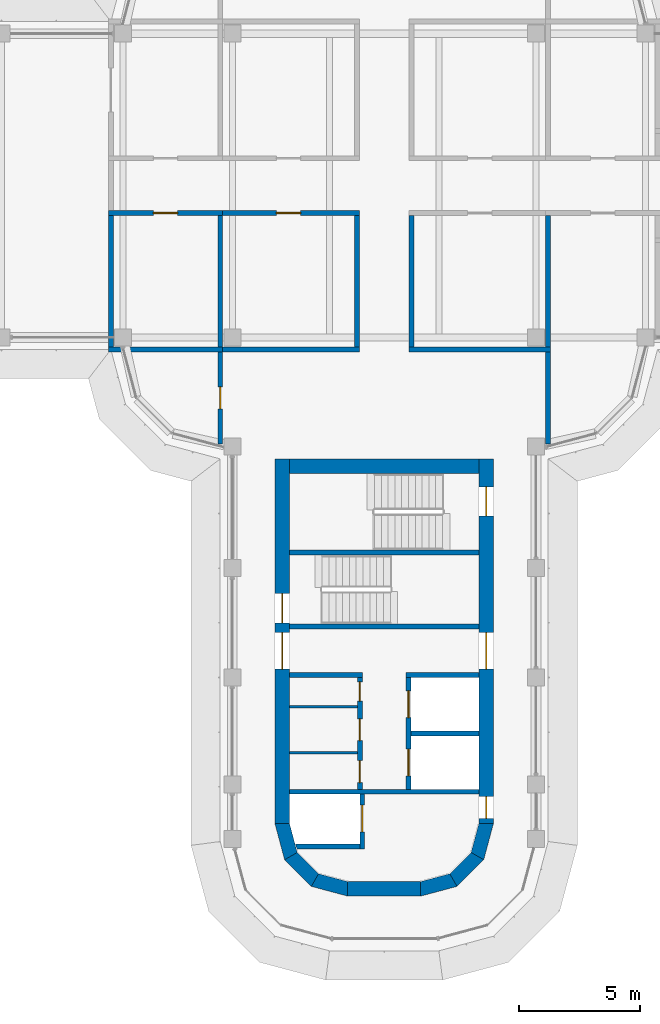
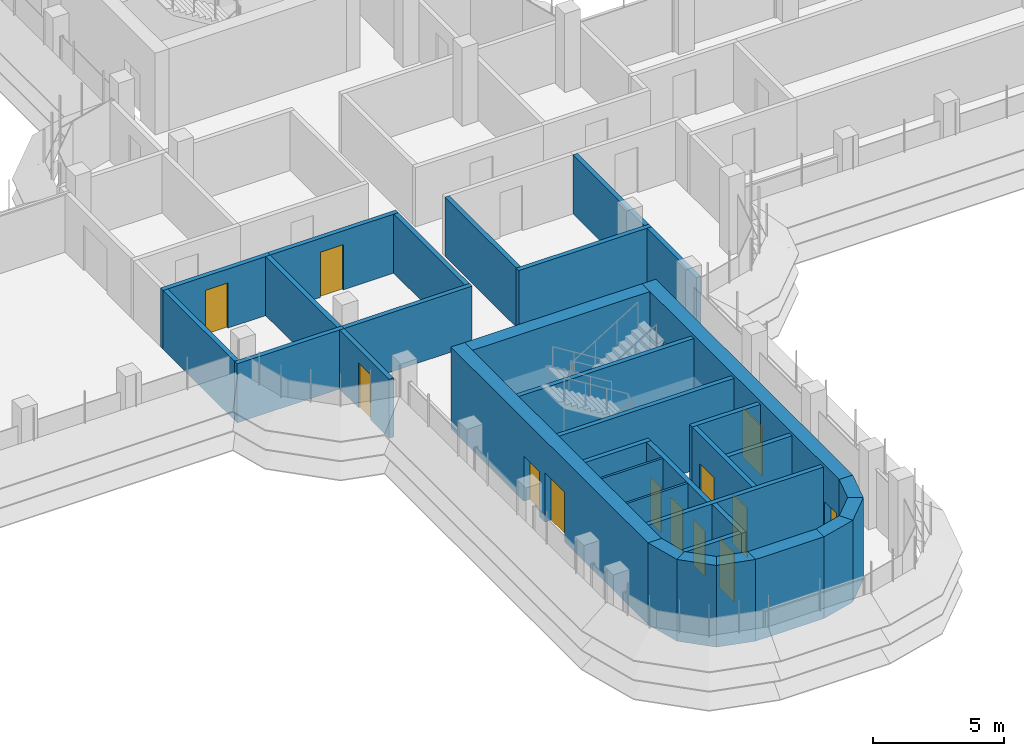
# One storey, part 13 of 19: 34 walls, 14 doors, 14 openings.
"""IFC4 building model written with IfcOpenShell, lengths in metres."""

from ifc_helpers import new_model, si_unit, direction, frame, frame_2d, origin, place, context, subcontext, project, spatial, polyline, rectangle, outline, extrude, material, layer, layer_set, type_object, element, fill, save


model = new_model("IFC4")

# Units and contexts
model_context = context("Model", 3, precision=1e-05, world=origin(), true_north=direction((0.0, 1.0)))
body_context = subcontext(model_context, "Body", "Model", "MODEL_VIEW")
ifc_project = project(units=[si_unit("LENGTHUNIT", "METRE"), si_unit("AREAUNIT", "SQUARE_METRE"), si_unit("VOLUMEUNIT", "CUBIC_METRE"), si_unit("PLANEANGLEUNIT", "RADIAN"), si_unit("MASSUNIT", "GRAM", prefix="KILO")], contexts=[model_context])

# Site, building, storey
site_placement = place(None, origin())
site = spatial("IfcSite", under=ifc_project, at=site_placement, CompositionType="ELEMENT")
building_placement = place(site_placement, origin())
building = spatial("IfcBuilding", under=site, at=building_placement, Name="Zarbagh Exchange Tower", CompositionType="ELEMENT")
storey_placement = place(building_placement, frame((0.0, 0.0, 233.39990234375)))
storey = spatial("IfcBuildingStorey", under=building, at=storey_placement, Name="L57", CompositionType="ELEMENT", Elevation=233.39990234375)

# Walls
ifc_material_1 = material(Name="Dense blockwork", Category="masonry")
ifc_layer_1 = layer(ifc_material_1, 0.10009765625)
ifc_layer_set_1 = layer_set([ifc_layer_1], Name="Core partition 100 mm blockwork")
wall_type_1 = type_object("IfcWallType", Name="Core partition 100 mm blockwork", PredefinedType="PARTITIONING", material=ifc_layer_set_1)
for number, where, z_axis, x_axis, name in (
    (1, (-1.10009765625, -23.35009765625, 0.0), (0.0, 0.0, 1.0), (-1.0, 0.0, 0.0), "South core partition wall CUT-E-500"),
    (2, (-1.10009765625, -21.449951171875, 0.0), (0.0, 0.0, 1.0), (-1.0, 0.0, 0.0), "South core partition wall CUT-E-690"),
):
    element("IfcWall", number, at=place(storey_placement, frame(where, z_axis=z_axis, x_axis=x_axis)), inside=storey, type_object=wall_type_1, Name=name, PredefinedType="PARTITIONING", context=body_context, shape_type="SweptSolid", body=[
        extrude(rectangle(XDim=2.7998046875, YDim=0.10009765625, at=frame_2d((1.39990234375, 0.0))), origin(), (0.0, 0.0, 1.0), 3.650146484375),
    ])

# Wall, opening, door
ifc_material_2 = material(Name="Fire-rated plasterboard partition")
ifc_layer_2 = layer(ifc_material_2, 0.199951171875)
ifc_layer_set_2 = layer_set([ifc_layer_2], Name="RATED PARTITION 200")
wall_type_2 = type_object("IfcWallType", Name="RATED PARTITION 200", PredefinedType="PARTITIONING", material=ifc_layer_set_2)
wall_1_placement = place(storey_placement, frame((-1.02490234375, -1.125, 0.0), z_axis=(0.0, 0.0, 1.0), x_axis=(-1.0, 0.0, 0.0)))
wall_1 = element("IfcWall", 3, at=wall_1_placement, inside=storey, type_object=wall_type_2, Name="Partition W-2507", PredefinedType="PARTITIONING", context=body_context, shape_type="SweptSolid", body=[
    extrude(rectangle(XDim=5.8251953125, YDim=0.199951171875, at=frame_2d((2.91259765625, 0.0))), origin(), (0.0, 0.0, 1.0), 2.745849609375),
])
opening_1_placement = place(wall_1_placement, frame((2.41259765625, 0.0, 0.0)))
opening_1 = element("IfcOpeningElement", 4, at=opening_1_placement, cuts=wall_1, Name="Opening D-2512", PredefinedType="OPENING", context=body_context, shape_type="SweptSolid", body=[
    extrude(rectangle(XDim=1.0, YDim=2.10009765625, at=frame_2d((0.5, 1.050048828125))), frame((0.0, 0.10986328125, 0.0), z_axis=(0.0, -1.0, 0.0), x_axis=(1.0, 0.0, 0.0)), (0.0, 0.0, 1.0), 0.219970703125),
])
ifc_material_3 = material(Name="Steel door set", Category="steel")
door_type_1 = type_object("IfcDoorType", Name="FIRE DOOR 1000 X 2100 FD30S", OperationType="NOTDEFINED", PredefinedType="DOOR", material=ifc_material_3)
door_1_placement = place(opening_1_placement, origin())
door_1 = element("IfcDoor", 5, at=door_1_placement, inside=storey, type_object=door_type_1, Name="Door D-2512", OperationType="SINGLE_SWING_RIGHT", OverallHeight=2.10009765625, OverallWidth=1.0, PredefinedType="DOOR", context=body_context, shape_type="SweptSolid", body=[
    extrude(rectangle(XDim=1.0, YDim=2.10009765625, at=frame_2d((0.5, 1.050048828125))), frame((0.0, 0.02490234375, 0.0), z_axis=(0.0, -1.0, 0.0), x_axis=(1.0, 0.0, 0.0)), (0.0, 0.0, 1.0), 0.050048828125),
])
fill(opening_1, door_1)

wall_2_placement = place(storey_placement, frame((-6.64990234375, -1.125, 0.0), z_axis=(0.0, 0.0, 1.0), x_axis=(-1.0, 0.0, 0.0)))
wall_2 = element("IfcWall", 6, at=wall_2_placement, inside=storey, type_object=wall_type_2, Name="Partition W-2508", PredefinedType="PARTITIONING", context=body_context, shape_type="SweptSolid", body=[
    extrude(rectangle(XDim=4.7001953125, YDim=0.199951171875, at=frame_2d((2.35009765625, 0.0))), origin(), (0.0, 0.0, 1.0), 2.745849609375),
])
opening_2_placement = place(wall_2_placement, frame((1.85009765625, 0.0, 0.0)))
opening_2 = element("IfcOpeningElement", 7, at=opening_2_placement, cuts=wall_2, Name="Opening D-2513", PredefinedType="OPENING", context=body_context, shape_type="SweptSolid", body=[
    extrude(rectangle(XDim=1.0, YDim=2.10009765625, at=frame_2d((0.5, 1.050048828125))), frame((0.0, 0.10986328125, 0.0), z_axis=(0.0, -1.0, 0.0), x_axis=(1.0, 0.0, 0.0)), (0.0, 0.0, 1.0), 0.219970703125),
])
door_2_placement = place(opening_2_placement, origin())
door_2 = element("IfcDoor", 8, at=door_2_placement, inside=storey, type_object=door_type_1, Name="Door D-2513", OperationType="SINGLE_SWING_RIGHT", OverallHeight=2.10009765625, OverallWidth=1.0, PredefinedType="DOOR", context=body_context, shape_type="SweptSolid", body=[
    extrude(rectangle(XDim=1.0, YDim=2.10009765625, at=frame_2d((0.5, 1.050048828125))), frame((0.0, 0.02490234375, 0.0), z_axis=(0.0, -1.0, 0.0), x_axis=(1.0, 0.0, 0.0)), (0.0, 0.0, 1.0), 0.050048828125),
])
fill(opening_2, door_2)

# Walls
for number, where, z_axis, x_axis, name in (
    (9, (1.125, -6.64990234375, 0.0), (0.0, 0.0, 1.0), (0.0, 1.0, 0.0), "Partition W-2512"),
    (10, (-1.125, -6.64990234375, 0.0), (0.0, 0.0, 1.0), (0.0, 1.0, 0.0), "Partition W-2513"),
):
    element("IfcWall", number, at=place(storey_placement, frame(where, z_axis=z_axis, x_axis=x_axis)), inside=storey, type_object=wall_type_2, Name=name, PredefinedType="PARTITIONING", context=body_context, shape_type="SweptSolid", body=[
        extrude(rectangle(XDim=5.4248046875, YDim=0.199951171875, at=frame_2d((2.71240234375, 0.0))), origin(), (0.0, 0.0, 1.0), 2.745849609375),
    ])
wall_3_placement = place(storey_placement, frame((1.02490234375, -6.75, 0.0), z_axis=(0.0, 0.0, 1.0), x_axis=(1.0, 0.0, 0.0)))
element("IfcWall", 11, at=wall_3_placement, inside=storey, type_object=wall_type_2, Name="Partition W-2518", PredefinedType="PARTITIONING", context=body_context, shape_type="SweptSolid", body=[
    extrude(rectangle(XDim=5.8251953125, YDim=0.199951171875, at=frame_2d((2.91259765625, 0.0))), origin(), (0.0, 0.0, 1.0), 2.745849609375),
])
wall_4_placement = place(storey_placement, frame((6.75, -10.6298828125, 0.0), z_axis=(0.0, 0.0, 1.0), x_axis=(0.0, 1.0, 0.0)))
element("IfcWall", 12, at=wall_4_placement, inside=storey, type_object=wall_type_2, Name="Partition W-2519", PredefinedType="PARTITIONING", context=body_context, shape_type="SweptSolid", body=[
    extrude(rectangle(XDim=3.77978515625, YDim=0.199951171875, at=frame_2d((1.889892578125, 0.0))), origin(), (0.0, 0.0, 1.0), 2.745849609375),
])
wall_5_placement = place(storey_placement, frame((-6.85009765625, -6.75, 0.0), z_axis=(0.0, 0.0, 1.0), x_axis=(1.0, 0.0, 0.0)))
element("IfcWall", 13, at=wall_5_placement, inside=storey, type_object=wall_type_2, Name="Partition W-2520", PredefinedType="PARTITIONING", context=body_context, shape_type="SweptSolid", body=[
    extrude(rectangle(XDim=5.8251953125, YDim=0.199951171875, at=frame_2d((2.91259765625, 0.0))), origin(), (0.0, 0.0, 1.0), 2.745849609375),
])

# Wall, opening, door
wall_6_placement = place(storey_placement, frame((-6.75, -10.6298828125, 0.0), z_axis=(0.0, 0.0, 1.0), x_axis=(0.0, 1.0, 0.0)))
wall_6 = element("IfcWall", 14, at=wall_6_placement, inside=storey, type_object=wall_type_2, Name="Partition W-2521", PredefinedType="PARTITIONING", context=body_context, shape_type="SweptSolid", body=[
    extrude(rectangle(XDim=3.77978515625, YDim=0.199951171875, at=frame_2d((1.889892578125, 0.0))), origin(), (0.0, 0.0, 1.0), 2.745849609375),
])
opening_3_placement = place(wall_6_placement, frame((1.43994140625, 0.0, 0.0)))
opening_3 = element("IfcOpeningElement", 15, at=opening_3_placement, cuts=wall_6, Name="Opening D-2514", PredefinedType="OPENING", context=body_context, shape_type="SweptSolid", body=[
    extrude(rectangle(XDim=0.89990234375, YDim=2.10009765625, at=frame_2d((0.449951171875, 1.050048828125))), frame((0.0, 0.10986328125, 0.0), z_axis=(0.0, -1.0, 0.0), x_axis=(1.0, 0.0, 0.0)), (0.0, 0.0, 1.0), 0.219970703125),
])
ifc_material_4 = material(Name="Timber door leaf", Category="wood")
door_type_2 = type_object("IfcDoorType", Name="DOOR 900 X 2100", OperationType="NOTDEFINED", PredefinedType="DOOR", material=ifc_material_4)
door_3_placement = place(opening_3_placement, origin())
door_3 = element("IfcDoor", 16, at=door_3_placement, inside=storey, type_object=door_type_2, Name="Door D-2514", OperationType="SINGLE_SWING_RIGHT", OverallHeight=2.10009765625, OverallWidth=0.89990234375, PredefinedType="DOOR", context=body_context, shape_type="SweptSolid", body=[
    extrude(rectangle(XDim=0.89990234375, YDim=2.10009765625, at=frame_2d((0.449951171875, 1.050048828125))), frame((0.0, 0.02490234375, 0.0), z_axis=(0.0, -1.0, 0.0), x_axis=(1.0, 0.0, 0.0)), (0.0, 0.0, 1.0), 0.050048828125),
])
fill(opening_3, door_3)

# Walls
for number, where, z_axis, x_axis, name in (
    (17, (6.75, -6.64990234375, 0.0), (0.0, 0.0, 1.0), (0.0, 1.0, 0.0), "Partition W-2529"),
    (18, (-6.75, -6.64990234375, 0.0), (0.0, 0.0, 1.0), (0.0, 1.0, 0.0), "Partition W-2532"),
):
    element("IfcWall", number, at=place(storey_placement, frame(where, z_axis=z_axis, x_axis=x_axis)), inside=storey, type_object=wall_type_2, Name=name, PredefinedType="PARTITIONING", context=body_context, shape_type="SweptSolid", body=[
        extrude(rectangle(XDim=5.4248046875, YDim=0.199951171875, at=frame_2d((2.71240234375, 0.0))), origin(), (0.0, 0.0, 1.0), 2.745849609375),
    ])
wall_7_placement = place(storey_placement, frame((-11.35009765625, -6.75, 0.0), z_axis=(0.0, 0.0, 1.0), x_axis=(1.0, 0.0, 0.0)))
element("IfcWall", 19, at=wall_7_placement, inside=storey, type_object=wall_type_2, Name="Partition W-2533", PredefinedType="PARTITIONING", context=body_context, shape_type="SweptSolid", body=[
    extrude(rectangle(XDim=4.7001953125, YDim=0.199951171875, at=frame_2d((2.35009765625, 0.0))), origin(), (0.0, 0.0, 1.0), 2.745849609375),
])
wall_8_placement = place(storey_placement, frame((-11.25, -6.64990234375, 0.0), z_axis=(0.0, 0.0, 1.0), x_axis=(0.0, 1.0, 0.0)))
element("IfcWall", 20, at=wall_8_placement, inside=storey, type_object=wall_type_2, Name="Partition W-2534", PredefinedType="PARTITIONING", context=body_context, shape_type="SweptSolid", body=[
    extrude(rectangle(XDim=5.4248046875, YDim=0.199951171875, at=frame_2d((2.71240234375, 0.0))), origin(), (0.0, 0.0, 1.0), 2.745849609375),
])
ifc_material_5 = material(Name="Concrete C50/60", Category="concrete")
ifc_layer_3 = layer(ifc_material_5, 0.60009765625)
ifc_layer_set_3 = layer_set([ifc_layer_3], Name="RC core corner wall 600 C50/60")
wall_type_3 = type_object("IfcWallType", Name="RC core corner wall 600 C50/60", PredefinedType="SHEAR", material=ifc_layer_set_3)
wall_9_placement = place(storey_placement, origin())
element("IfcWall", 21, at=wall_9_placement, inside=storey, type_object=wall_type_3, Name="CW8 core S corner W", PredefinedType="SHEAR", context=body_context, shape_type="SweptSolid", body=[
    extrude(outline(polyline([(-4.5, -26.25), (-4.09814453125, -27.75), (-3.57861328125, -27.449951171875), (-3.89990234375, -26.25), (-4.5, -26.25)])), origin(), (0.0, 0.0, 1.0), 3.800048828125),
])
wall_10_placement = place(storey_placement, origin())
element("IfcWall", 22, at=wall_10_placement, inside=storey, type_object=wall_type_3, Name="CW8 core S corner W", PredefinedType="SHEAR", context=body_context, shape_type="SweptSolid", body=[
    extrude(outline(polyline([(-4.09814453125, -27.75), (-3.0, -28.84814453125), (-2.699951171875, -28.32861328125), (-3.57861328125, -27.449951171875), (-4.09814453125, -27.75)])), origin(), (0.0, 0.0, 1.0), 3.800048828125),
])
wall_11_placement = place(storey_placement, origin())
element("IfcWall", 23, at=wall_11_placement, inside=storey, type_object=wall_type_3, Name="CW8 core S corner W", PredefinedType="SHEAR", context=body_context, shape_type="SweptSolid", body=[
    extrude(outline(polyline([(-3.0, -28.84814453125), (-1.5, -29.25), (-1.5, -28.64990234375), (-2.699951171875, -28.32861328125), (-3.0, -28.84814453125)])), origin(), (0.0, 0.0, 1.0), 3.800048828125),
])
wall_12_placement = place(storey_placement, origin())
element("IfcWall", 24, at=wall_12_placement, inside=storey, type_object=wall_type_3, Name="CW8 core S corner E", PredefinedType="SHEAR", context=body_context, shape_type="SweptSolid", body=[
    extrude(outline(polyline([(4.5, -26.25), (4.09814453125, -27.75), (3.57861328125, -27.449951171875), (3.89990234375, -26.25), (4.5, -26.25)])), origin(), (0.0, 0.0, 1.0), 3.800048828125),
])
wall_13_placement = place(storey_placement, origin())
element("IfcWall", 25, at=wall_13_placement, inside=storey, type_object=wall_type_3, Name="CW8 core S corner E", PredefinedType="SHEAR", context=body_context, shape_type="SweptSolid", body=[
    extrude(outline(polyline([(4.09814453125, -27.75), (3.0, -28.84814453125), (2.699951171875, -28.32861328125), (3.57861328125, -27.449951171875), (4.09814453125, -27.75)])), origin(), (0.0, 0.0, 1.0), 3.800048828125),
])
wall_14_placement = place(storey_placement, origin())
element("IfcWall", 26, at=wall_14_placement, inside=storey, type_object=wall_type_3, Name="CW8 core S corner E", PredefinedType="SHEAR", context=body_context, shape_type="SweptSolid", body=[
    extrude(outline(polyline([(3.0, -28.84814453125), (1.5, -29.25), (1.5, -28.64990234375), (2.699951171875, -28.32861328125), (3.0, -28.84814453125)])), origin(), (0.0, 0.0, 1.0), 3.800048828125),
])

# Wall, openings, doors
ifc_layer_4 = layer(ifc_material_5, 0.60009765625)
ifc_layer_set_4 = layer_set([ifc_layer_4], Name="RC core wall 600 C50/60")
wall_type_4 = type_object("IfcWallType", Name="RC core wall 600 C50/60", PredefinedType="SHEAR", material=ifc_layer_set_4)
wall_15_placement = place(storey_placement, frame((-4.199951171875, -11.25, 0.0), z_axis=(0.0, 0.0, 1.0), x_axis=(0.0, -1.0, 0.0)))
wall_15 = element("IfcWall", 27, at=wall_15_placement, inside=storey, type_object=wall_type_4, Name="CW7 core S W", PredefinedType="SHEAR", context=body_context, shape_type="SweptSolid", body=[
    extrude(rectangle(XDim=15.0, YDim=0.60009765625, at=frame_2d((7.5, 0.0))), origin(), (0.0, 0.0, 1.0), 3.800048828125),
])
opening_4_placement = place(wall_15_placement, frame((7.14990234375, 0.0, 0.0)))
opening_4 = element("IfcOpeningElement", 28, at=opening_4_placement, cuts=wall_15, Name="Opening CD1-1500", PredefinedType="OPENING", context=body_context, shape_type="SweptSolid", body=[
    extrude(rectangle(XDim=1.5, YDim=2.300048828125, at=frame_2d((0.75, 1.14990234375))), frame((0.0, 0.31005859375, 0.0), z_axis=(0.0, -1.0, 0.0), x_axis=(1.0, 0.0, 0.0)), (0.0, 0.0, 1.0), 0.6201171875),
])
opening_5_placement = place(wall_15_placement, frame((5.550048828125, 0.0, 0.0)))
opening_5 = element("IfcOpeningElement", 29, at=opening_5_placement, cuts=wall_15, Name="Opening SD1-1200", PredefinedType="OPENING", context=body_context, shape_type="SweptSolid", body=[
    extrude(rectangle(XDim=1.199951171875, YDim=2.10009765625, at=frame_2d((0.60009765625, 1.050048828125))), frame((0.0, 0.31005859375, 0.0), z_axis=(0.0, -1.0, 0.0), x_axis=(1.0, 0.0, 0.0)), (0.0, 0.0, 1.0), 0.6201171875),
])
ifc_material_6 = material(Name="Steel", Category="steel")
door_type_3 = type_object("IfcDoorType", Name="Exit stair door 1200 x 2100", OperationType="NOTDEFINED", PredefinedType="DOOR", material=ifc_material_6)
door_4_placement = place(opening_5_placement, origin())
door_4 = element("IfcDoor", 30, at=door_4_placement, inside=storey, type_object=door_type_3, Name="South core stair door ST1", OperationType="SINGLE_SWING_RIGHT", OverallHeight=2.10009765625, OverallWidth=1.199951171875, PredefinedType="DOOR", context=body_context, shape_type="SweptSolid", body=[
    extrude(rectangle(XDim=1.199951171875, YDim=2.10009765625, at=frame_2d((0.60009765625, 1.050048828125))), frame((0.0, 0.02490234375, 0.0), z_axis=(0.0, -1.0, 0.0), x_axis=(1.0, 0.0, 0.0)), (0.0, 0.0, 1.0), 0.050048828125),
])
fill(opening_5, door_4)
door_type_4 = type_object("IfcDoorType", Name="Lift lobby double door 1500 x 2300", OperationType="NOTDEFINED", PredefinedType="DOOR", material=ifc_material_6)
door_5_placement = place(opening_4_placement, origin())
door_5 = element("IfcDoor", 31, at=door_5_placement, inside=storey, type_object=door_type_4, Name="South core lift lobby door LOBBY-E", OperationType="DOUBLE_DOOR_SINGLE_SWING", OverallHeight=2.300048828125, OverallWidth=1.5, PredefinedType="DOOR", context=body_context, shape_type="SweptSolid", body=[
    extrude(rectangle(XDim=1.5, YDim=2.300048828125, at=frame_2d((0.75, 1.14990234375))), frame((0.0, 0.02490234375, 0.0), z_axis=(0.0, -1.0, 0.0), x_axis=(1.0, 0.0, 0.0)), (0.0, 0.0, 1.0), 0.050048828125),
])
fill(opening_4, door_5)

wall_16_placement = place(storey_placement, frame((4.199951171875, -11.25, 0.0), z_axis=(0.0, 0.0, 1.0), x_axis=(0.0, -1.0, 0.0)))
wall_16 = element("IfcWall", 32, at=wall_16_placement, inside=storey, type_object=wall_type_4, Name="CW7 core S E", PredefinedType="SHEAR", context=body_context, shape_type="SweptSolid", body=[
    extrude(rectangle(XDim=15.0, YDim=0.60009765625, at=frame_2d((7.5, 0.0))), origin(), (0.0, 0.0, 1.0), 3.800048828125),
])
opening_6_placement = place(wall_16_placement, frame((7.14990234375, 0.0, 0.0)))
opening_6 = element("IfcOpeningElement", 33, at=opening_6_placement, cuts=wall_16, Name="Opening CD1-1500", PredefinedType="OPENING", context=body_context, shape_type="SweptSolid", body=[
    extrude(rectangle(XDim=1.5, YDim=2.300048828125, at=frame_2d((0.75, 1.14990234375))), frame((0.0, 0.31005859375, 0.0), z_axis=(0.0, -1.0, 0.0), x_axis=(1.0, 0.0, 0.0)), (0.0, 0.0, 1.0), 0.6201171875),
])
opening_7_placement = place(wall_16_placement, frame((13.89990234375, 0.0, 0.0)))
opening_7 = element("IfcOpeningElement", 34, at=opening_7_placement, cuts=wall_16, Name="Opening CD2-900", PredefinedType="OPENING", context=body_context, shape_type="SweptSolid", body=[
    extrude(rectangle(XDim=0.89990234375, YDim=2.10009765625, at=frame_2d((0.449951171875, 1.050048828125))), frame((0.0, 0.31005859375, 0.0), z_axis=(0.0, -1.0, 0.0), x_axis=(1.0, 0.0, 0.0)), (0.0, 0.0, 1.0), 0.6201171875),
])
opening_8_placement = place(wall_16_placement, frame((1.14990234375, 0.0, 0.0)))
opening_8 = element("IfcOpeningElement", 35, at=opening_8_placement, cuts=wall_16, Name="Opening SD1-1200", PredefinedType="OPENING", context=body_context, shape_type="SweptSolid", body=[
    extrude(rectangle(XDim=1.199951171875, YDim=2.10009765625, at=frame_2d((0.60009765625, 1.050048828125))), frame((0.0, 0.31005859375, 0.0), z_axis=(0.0, -1.0, 0.0), x_axis=(1.0, 0.0, 0.0)), (0.0, 0.0, 1.0), 0.6201171875),
])
door_6_placement = place(opening_8_placement, origin())
door_6 = element("IfcDoor", 36, at=door_6_placement, inside=storey, type_object=door_type_3, Name="South core stair door ST2", OperationType="SINGLE_SWING_LEFT", OverallHeight=2.10009765625, OverallWidth=1.199951171875, PredefinedType="DOOR", context=body_context, shape_type="SweptSolid", body=[
    extrude(rectangle(XDim=1.199951171875, YDim=2.10009765625, at=frame_2d((0.60009765625, 1.050048828125))), frame((0.0, 0.02490234375, 0.0), z_axis=(0.0, -1.0, 0.0), x_axis=(1.0, 0.0, 0.0)), (0.0, 0.0, 1.0), 0.050048828125),
])
fill(opening_8, door_6)
door_type_5 = type_object("IfcDoorType", Name="Firefighting lobby door 900 x 2100", OperationType="NOTDEFINED", PredefinedType="DOOR", material=ifc_material_6)
door_7_placement = place(opening_7_placement, origin())
door_7 = element("IfcDoor", 37, at=door_7_placement, inside=storey, type_object=door_type_5, Name="South core firefighting lobby door FF-W", OperationType="SINGLE_SWING_LEFT", OverallHeight=2.10009765625, OverallWidth=0.89990234375, PredefinedType="DOOR", context=body_context, shape_type="SweptSolid", body=[
    extrude(rectangle(XDim=0.89990234375, YDim=2.10009765625, at=frame_2d((0.449951171875, 1.050048828125))), frame((0.0, 0.02490234375, 0.0), z_axis=(0.0, -1.0, 0.0), x_axis=(1.0, 0.0, 0.0)), (0.0, 0.0, 1.0), 0.050048828125),
])
fill(opening_7, door_7)
door_8_placement = place(opening_6_placement, origin())
door_8 = element("IfcDoor", 38, at=door_8_placement, inside=storey, type_object=door_type_4, Name="South core lift lobby door LOBBY-W", OperationType="DOUBLE_DOOR_SINGLE_SWING", OverallHeight=2.300048828125, OverallWidth=1.5, PredefinedType="DOOR", context=body_context, shape_type="SweptSolid", body=[
    extrude(rectangle(XDim=1.5, YDim=2.300048828125, at=frame_2d((0.75, 1.14990234375))), frame((0.0, 0.02490234375, 0.0), z_axis=(0.0, -1.0, 0.0), x_axis=(1.0, 0.0, 0.0)), (0.0, 0.0, 1.0), 0.050048828125),
])
fill(opening_6, door_8)

# Walls
wall_17_placement = place(storey_placement, frame((-3.89990234375, -11.550048828125, 0.0), z_axis=(0.0, 0.0, 1.0), x_axis=(1.0, 0.0, 0.0)))
element("IfcWall", 39, at=wall_17_placement, inside=storey, type_object=wall_type_4, Name="CW7 core S inner end", PredefinedType="SHEAR", context=body_context, shape_type="SweptSolid", body=[
    extrude(rectangle(XDim=7.7998046875, YDim=0.60009765625, at=frame_2d((3.89990234375, 0.0))), origin(), (0.0, 0.0, 1.0), 3.800048828125),
])
wall_18_placement = place(storey_placement, frame((-1.5, -28.949951171875, 0.0), z_axis=(0.0, 0.0, 1.0), x_axis=(1.0, 0.0, 0.0)))
element("IfcWall", 40, at=wall_18_placement, inside=storey, type_object=wall_type_4, Name="CW7 core S outer end", PredefinedType="SHEAR", context=body_context, shape_type="SweptSolid", body=[
    extrude(rectangle(XDim=3.0, YDim=0.60009765625, at=frame_2d((1.5, 0.0))), origin(), (0.0, 0.0, 1.0), 3.800048828125),
])
ifc_layer_5 = layer(ifc_material_1, 0.199951171875)
ifc_layer_set_5 = layer_set([ifc_layer_5], Name="Shaft wall 200 mm blockwork")
wall_type_5 = type_object("IfcWallType", Name="Shaft wall 200 mm blockwork", PredefinedType="PARTITIONING", material=ifc_layer_set_5)
wall_19_placement = place(storey_placement, frame((3.89990234375, -20.14990234375, 0.0), z_axis=(0.0, 0.0, 1.0), x_axis=(-1.0, 0.0, 0.0)))
element("IfcWall", 41, at=wall_19_placement, inside=storey, type_object=wall_type_5, Name="South core shaft wall AB-W", PredefinedType="PARTITIONING", context=body_context, shape_type="SweptSolid", body=[
    extrude(rectangle(XDim=3.0, YDim=0.199951171875, at=frame_2d((1.5, 0.0))), origin(), (0.0, 0.0, 1.0), 3.650146484375),
])

# Wall, openings, doors
wall_20_placement = place(storey_placement, frame((1.0, -24.85009765625, 0.0), z_axis=(0.0, 0.0, 1.0), x_axis=(0.0, 1.0, 0.0)))
wall_20 = element("IfcWall", 42, at=wall_20_placement, inside=storey, type_object=wall_type_5, Name="South core shaft wall LW-W", PredefinedType="PARTITIONING", context=body_context, shape_type="SweptSolid", body=[
    extrude(rectangle(XDim=4.60009765625, YDim=0.199951171875, at=frame_2d((2.300048828125, 0.0))), origin(), (0.0, 0.0, 1.0), 3.650146484375),
])
opening_9_placement = place(wall_20_placement, frame((0.550048828125, 0.0, 0.0)))
opening_9 = element("IfcOpeningElement", 43, at=opening_9_placement, cuts=wall_20, Name="Opening LD-1100", PredefinedType="OPENING", context=body_context, shape_type="SweptSolid", body=[
    extrude(rectangle(XDim=1.10009765625, YDim=2.300048828125, at=frame_2d((0.550048828125, 1.14990234375))), frame((0.0, 0.10986328125, 0.0), z_axis=(0.0, -1.0, 0.0), x_axis=(1.0, 0.0, 0.0)), (0.0, 0.0, 1.0), 0.219970703125),
])
opening_10_placement = place(wall_20_placement, frame((2.949951171875, 0.0, 0.0)))
opening_10 = element("IfcOpeningElement", 44, at=opening_10_placement, cuts=wall_20, Name="Opening LD-1100", PredefinedType="OPENING", context=body_context, shape_type="SweptSolid", body=[
    extrude(rectangle(XDim=1.10009765625, YDim=2.300048828125, at=frame_2d((0.550048828125, 1.14990234375))), frame((0.0, 0.10986328125, 0.0), z_axis=(0.0, -1.0, 0.0), x_axis=(1.0, 0.0, 0.0)), (0.0, 0.0, 1.0), 0.219970703125),
])
ifc_material_7 = material(Name="Stainless steel", Category="steel")
door_type_6 = type_object("IfcDoorType", Name="Lift landing door 1100 x 2300", OperationType="NOTDEFINED", PredefinedType="DOOR", material=ifc_material_7)
door_9_placement = place(opening_9_placement, origin())
door_9 = element("IfcDoor", 45, at=door_9_placement, inside=storey, type_object=door_type_6, Name="South core lift landing door LD-P-S1", OperationType="DOUBLE_DOOR_SLIDING", OverallHeight=2.300048828125, OverallWidth=1.10009765625, PredefinedType="DOOR", context=body_context, shape_type="SweptSolid", body=[
    extrude(rectangle(XDim=1.10009765625, YDim=2.300048828125, at=frame_2d((0.550048828125, 1.14990234375))), frame((0.0, 0.02490234375, 0.0), z_axis=(0.0, -1.0, 0.0), x_axis=(1.0, 0.0, 0.0)), (0.0, 0.0, 1.0), 0.050048828125),
])
fill(opening_9, door_9)
door_10_placement = place(opening_10_placement, origin())
door_10 = element("IfcDoor", 46, at=door_10_placement, inside=storey, type_object=door_type_6, Name="South core lift landing door LD-P-S2", OperationType="DOUBLE_DOOR_SLIDING", OverallHeight=2.300048828125, OverallWidth=1.10009765625, PredefinedType="DOOR", context=body_context, shape_type="SweptSolid", body=[
    extrude(rectangle(XDim=1.10009765625, YDim=2.300048828125, at=frame_2d((0.550048828125, 1.14990234375))), frame((0.0, 0.02490234375, 0.0), z_axis=(0.0, -1.0, 0.0), x_axis=(1.0, 0.0, 0.0)), (0.0, 0.0, 1.0), 0.050048828125),
])
fill(opening_10, door_10)

# Wall
wall_21_placement = place(storey_placement, frame((-0.89990234375, -20.14990234375, 0.0), z_axis=(0.0, 0.0, 1.0), x_axis=(-1.0, 0.0, 0.0)))
element("IfcWall", 47, at=wall_21_placement, inside=storey, type_object=wall_type_5, Name="South core shaft wall AB-E", PredefinedType="PARTITIONING", context=body_context, shape_type="SweptSolid", body=[
    extrude(rectangle(XDim=3.0, YDim=0.199951171875, at=frame_2d((1.5, 0.0))), origin(), (0.0, 0.0, 1.0), 3.650146484375),
])

# Wall, openings, doors
wall_22_placement = place(storey_placement, frame((-1.0, -24.85009765625, 0.0), z_axis=(0.0, 0.0, 1.0), x_axis=(0.0, 1.0, 0.0)))
wall_22 = element("IfcWall", 48, at=wall_22_placement, inside=storey, type_object=wall_type_5, Name="South core shaft wall LW-E", PredefinedType="PARTITIONING", context=body_context, shape_type="SweptSolid", body=[
    extrude(rectangle(XDim=4.60009765625, YDim=0.199951171875, at=frame_2d((2.300048828125, 0.0))), origin(), (0.0, 0.0, 1.0), 3.650146484375),
])
opening_11_placement = place(wall_22_placement, frame((0.27490234375, 0.0, 0.0)))
opening_11 = element("IfcOpeningElement", 49, at=opening_11_placement, cuts=wall_22, Name="Opening CD3-900", PredefinedType="OPENING", context=body_context, shape_type="SweptSolid", body=[
    extrude(rectangle(XDim=0.89990234375, YDim=2.10009765625, at=frame_2d((0.449951171875, 1.050048828125))), frame((0.0, 0.10986328125, 0.0), z_axis=(0.0, -1.0, 0.0), x_axis=(1.0, 0.0, 0.0)), (0.0, 0.0, 1.0), 0.219970703125),
])
opening_12_placement = place(wall_22_placement, frame((2.0, 0.0, 0.0)))
opening_12 = element("IfcOpeningElement", 50, at=opening_12_placement, cuts=wall_22, Name="Opening CD3-900", PredefinedType="OPENING", context=body_context, shape_type="SweptSolid", body=[
    extrude(rectangle(XDim=0.89990234375, YDim=2.10009765625, at=frame_2d((0.449951171875, 1.050048828125))), frame((0.0, 0.10986328125, 0.0), z_axis=(0.0, -1.0, 0.0), x_axis=(1.0, 0.0, 0.0)), (0.0, 0.0, 1.0), 0.219970703125),
])
opening_13_placement = place(wall_22_placement, frame((3.625, 0.0, 0.0)))
opening_13 = element("IfcOpeningElement", 51, at=opening_13_placement, cuts=wall_22, Name="Opening CD3-800", PredefinedType="OPENING", context=body_context, shape_type="SweptSolid", body=[
    extrude(rectangle(XDim=0.800048828125, YDim=2.10009765625, at=frame_2d((0.39990234375, 1.050048828125))), frame((0.0, 0.10986328125, 0.0), z_axis=(0.0, -1.0, 0.0), x_axis=(1.0, 0.0, 0.0)), (0.0, 0.0, 1.0), 0.219970703125),
])
door_type_7 = type_object("IfcDoorType", Name="Core room door 800 x 2100", OperationType="NOTDEFINED", PredefinedType="DOOR", material=ifc_material_6)
door_11_placement = place(opening_13_placement, origin())
door_11 = element("IfcDoor", 52, at=door_11_placement, inside=storey, type_object=door_type_7, Name="South core IT room door RD-E-2", OperationType="SINGLE_SWING_RIGHT", OverallHeight=2.10009765625, OverallWidth=0.800048828125, PredefinedType="DOOR", context=body_context, shape_type="SweptSolid", body=[
    extrude(rectangle(XDim=0.800048828125, YDim=2.10009765625, at=frame_2d((0.39990234375, 1.050048828125))), frame((0.0, 0.02490234375, 0.0), z_axis=(0.0, -1.0, 0.0), x_axis=(1.0, 0.0, 0.0)), (0.0, 0.0, 1.0), 0.050048828125),
])
fill(opening_13, door_11)
door_type_8 = type_object("IfcDoorType", Name="Core room door 900 x 2100", OperationType="NOTDEFINED", PredefinedType="DOOR", material=ifc_material_6)
door_12_placement = place(opening_11_placement, origin())
door_12 = element("IfcDoor", 53, at=door_12_placement, inside=storey, type_object=door_type_8, Name="South core Cleaner's store door RD-E-0", OperationType="SINGLE_SWING_LEFT", OverallHeight=2.10009765625, OverallWidth=0.89990234375, PredefinedType="DOOR", context=body_context, shape_type="SweptSolid", body=[
    extrude(rectangle(XDim=0.89990234375, YDim=2.10009765625, at=frame_2d((0.449951171875, 1.050048828125))), frame((0.0, 0.02490234375, 0.0), z_axis=(0.0, -1.0, 0.0), x_axis=(1.0, 0.0, 0.0)), (0.0, 0.0, 1.0), 0.050048828125),
])
fill(opening_11, door_12)
door_13_placement = place(opening_12_placement, origin())
door_13 = element("IfcDoor", 54, at=door_13_placement, inside=storey, type_object=door_type_8, Name="South core Pantry door RD-E-1", OperationType="SINGLE_SWING_LEFT", OverallHeight=2.10009765625, OverallWidth=0.89990234375, PredefinedType="DOOR", context=body_context, shape_type="SweptSolid", body=[
    extrude(rectangle(XDim=0.89990234375, YDim=2.10009765625, at=frame_2d((0.449951171875, 1.050048828125))), frame((0.0, 0.02490234375, 0.0), z_axis=(0.0, -1.0, 0.0), x_axis=(1.0, 0.0, 0.0)), (0.0, 0.0, 1.0), 0.050048828125),
])
fill(opening_12, door_13)

# Walls
wall_23_placement = place(storey_placement, frame((3.89990234375, -22.550048828125, 0.0), z_axis=(0.0, 0.0, 1.0), x_axis=(-1.0, 0.0, 0.0)))
element("IfcWall", 55, at=wall_23_placement, inside=storey, type_object=wall_type_5, Name="South core shaft wall TR-W", PredefinedType="PARTITIONING", context=body_context, shape_type="SweptSolid", body=[
    extrude(rectangle(XDim=2.7998046875, YDim=0.199951171875, at=frame_2d((1.39990234375, 0.0))), origin(), (0.0, 0.0, 1.0), 3.650146484375),
])
ifc_material_8 = material(Name="Concrete C40/50", Category="concrete")
ifc_layer_6 = layer(ifc_material_8, 0.199951171875)
ifc_layer_set_6 = layer_set([ifc_layer_6], Name="Stair enclosure wall 200 mm RC C40/50")
wall_type_6 = type_object("IfcWallType", Name="Stair enclosure wall 200 mm RC C40/50", PredefinedType="SHEAR", material=ifc_layer_set_6)
wall_24_placement = place(storey_placement, frame((3.89990234375, -24.949951171875, 0.0), z_axis=(0.0, 0.0, 1.0), x_axis=(-1.0, 0.0, 0.0)))
element("IfcWall", 56, at=wall_24_placement, inside=storey, type_object=wall_type_6, Name="South core lift shaft wall FFA", PredefinedType="SHEAR", context=body_context, shape_type="SweptSolid", body=[
    extrude(rectangle(XDim=7.7998046875, YDim=0.199951171875, at=frame_2d((3.89990234375, 0.0))), origin(), (0.0, 0.0, 1.0), 3.650146484375),
])

# Wall, opening, door
wall_25_placement = place(storey_placement, frame((-0.89990234375, -27.300048828125, 0.0), z_axis=(0.0, 0.0, 1.0), x_axis=(0.0, 1.0, 0.0)))
wall_25 = element("IfcWall", 57, at=wall_25_placement, inside=storey, type_object=wall_type_6, Name="South core lift shaft wall FFL", PredefinedType="SHEAR", context=body_context, shape_type="SweptSolid", body=[
    extrude(rectangle(XDim=2.25, YDim=0.199951171875, at=frame_2d((1.125, 0.0))), origin(), (0.0, 0.0, 1.0), 3.650146484375),
])
opening_14_placement = place(wall_25_placement, frame((0.699951171875, 0.0, 0.0)))
opening_14 = element("IfcOpeningElement", 58, at=opening_14_placement, cuts=wall_25, Name="Opening LD-1100", PredefinedType="OPENING", context=body_context, shape_type="SweptSolid", body=[
    extrude(rectangle(XDim=1.10009765625, YDim=2.300048828125, at=frame_2d((0.550048828125, 1.14990234375))), frame((0.0, 0.10986328125, 0.0), z_axis=(0.0, -1.0, 0.0), x_axis=(1.0, 0.0, 0.0)), (0.0, 0.0, 1.0), 0.219970703125),
])
door_14_placement = place(opening_14_placement, origin())
door_14 = element("IfcDoor", 59, at=door_14_placement, inside=storey, type_object=door_type_6, Name="South core lift landing door LD-F", OperationType="DOUBLE_DOOR_SLIDING", OverallHeight=2.300048828125, OverallWidth=1.10009765625, PredefinedType="DOOR", context=body_context, shape_type="SweptSolid", body=[
    extrude(rectangle(XDim=1.10009765625, YDim=2.300048828125, at=frame_2d((0.550048828125, 1.14990234375))), frame((0.0, 0.02490234375, 0.0), z_axis=(0.0, -1.0, 0.0), x_axis=(1.0, 0.0, 0.0)), (0.0, 0.0, 1.0), 0.050048828125),
])
fill(opening_14, door_14)

# Walls
wall_26_placement = place(storey_placement, origin())
element("IfcWall", 60, at=wall_26_placement, inside=storey, type_object=wall_type_6, Name="South core lift shaft wall FFX", PredefinedType="SHEAR", context=body_context, shape_type="SweptSolid", body=[
    extrude(outline(polyline([(-1.0, -27.10009765625), (-3.651123046875, -27.10009765625), (-3.597412109375, -27.300048828125), (-1.0, -27.300048828125), (-1.0, -27.10009765625)])), origin(), (0.0, 0.0, 1.0), 3.650146484375),
])
for number, where, z_axis, x_axis, name in (
    (61, (3.89990234375, -18.14990234375, 0.0), (0.0, 0.0, 1.0), (-1.0, 0.0, 0.0), "South core stair wall BS"),
    (62, (3.89990234375, -15.10009765625, 0.0), (0.0, 0.0, 1.0), (-1.0, 0.0, 0.0), "South core stair wall ST12"),
):
    element("IfcWall", number, at=place(storey_placement, frame(where, z_axis=z_axis, x_axis=x_axis)), inside=storey, type_object=wall_type_6, Name=name, PredefinedType="SHEAR", context=body_context, shape_type="SweptSolid", body=[
        extrude(rectangle(XDim=7.7998046875, YDim=0.199951171875, at=frame_2d((3.89990234375, 0.0))), origin(), (0.0, 0.0, 1.0), 3.650146484375),
    ])

save(model, "model.ifc")
